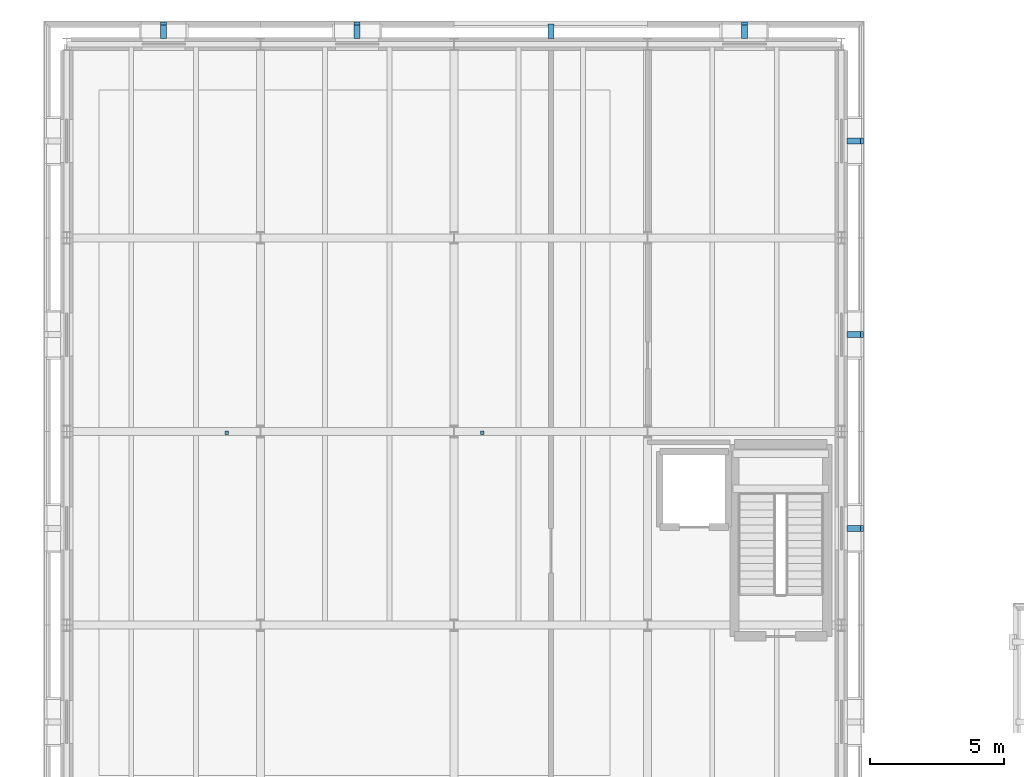
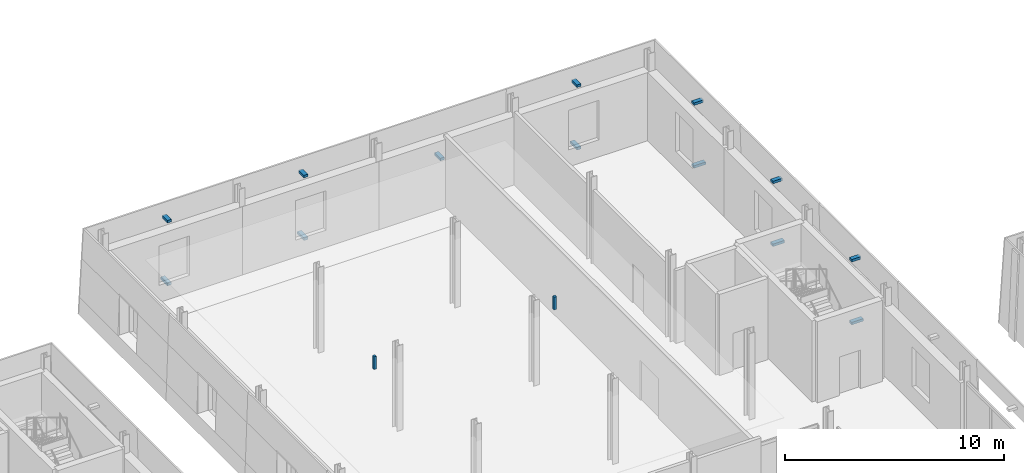
# One storey, part 95 of 121: 15 discrete accessories.
"""IFC4 building model written with IfcOpenShell, lengths in metres."""

from ifc_helpers import new_model, si_unit, direction, frame, origin, origin_2d, place, context, subcontext, project, spatial, rectangle, extrude, material, layer, layer_set, type_object, element, save


model = new_model("IFC4")

# Units and contexts
model_context = context("Model", 3, precision=1e-05, world=origin(), true_north=direction((0.0, 1.0)))
body_context = subcontext(model_context, "Body", "Model", "MODEL_VIEW")
ifc_project = project(units=[si_unit("LENGTHUNIT", "METRE"), si_unit("AREAUNIT", "SQUARE_METRE"), si_unit("VOLUMEUNIT", "CUBIC_METRE"), si_unit("PLANEANGLEUNIT", "RADIAN"), si_unit("MASSUNIT", "GRAM", prefix="KILO")], contexts=[model_context])

# Site, building, storey
site_placement = place(None, origin())
site = spatial("IfcSite", under=ifc_project, at=site_placement, CompositionType="ELEMENT")
building_placement = place(site_placement, origin())
building = spatial("IfcBuilding", under=site, at=building_placement, Name="Narikvali Park Central Library", CompositionType="ELEMENT")
storey_placement = place(building_placement, frame((0.0, 0.0, 5.39990234375)))
storey = spatial("IfcBuildingStorey", under=building, at=storey_placement, Name="L01", CompositionType="ELEMENT", Elevation=5.39990234375)

# Discrete accessories
ifc_material_1 = material(Name="Brushed Stainless Steel S355", Category="steel")
ifc_layer_1 = layer(ifc_material_1, 0.139892578125, Name="Brushed Stainless Steel S355")
ifc_layer_set_1 = layer_set([ifc_layer_1], Name="Brushed Stainless Steel S355")
discrete_accessory_type_1 = type_object("IfcDiscreteAccessoryType", Name="Cladding Stainless Tie-Back Corbel Bracket", PredefinedType="BRACKET", material=ifc_layer_set_1)
discrete_accessory_1_placement = place(storey_placement, frame((58.1162109375, 97.199951171875, 0.4052734375), z_axis=(0.0, 0.0, 1.0), x_axis=(1.0, 0.0, 0.0)))
element("IfcDiscreteAccessory", 1, at=discrete_accessory_1_placement, inside=storey, type_object=discrete_accessory_type_1, Name="Limestone Cladding Tie-Back Bracket V4-CLD-L01-E-B07-SP", PredefinedType="BRACKET", context=body_context, shape_type="SweptSolid", body=[
    extrude(rectangle(XDim=0.612060546875, YDim=0.219970703125, at=origin_2d()), origin(), (0.0, 0.0, 1.0), 0.139892578125),
])
discrete_accessory_2_placement = place(storey_placement, frame((58.05712890625, 97.199951171875, 3.9052734375), z_axis=(0.0, 0.0, 1.0), x_axis=(1.0, 0.0, 0.0)))
element("IfcDiscreteAccessory", 2, at=discrete_accessory_2_placement, inside=storey, type_object=discrete_accessory_type_1, Name="Limestone Cladding Tie-Back Bracket V4-CLD-L01-E-B07-LN", PredefinedType="BRACKET", context=body_context, shape_type="SweptSolid", body=[
    extrude(rectangle(XDim=0.494140625, YDim=0.219970703125, at=origin_2d()), origin(), (0.0, 0.0, 1.0), 0.139892578125),
])
discrete_accessory_3_placement = place(storey_placement, frame((58.1162109375, 104.39990234375, 0.4052734375), z_axis=(0.0, 0.0, 1.0), x_axis=(1.0, 0.0, 0.0)))
element("IfcDiscreteAccessory", 3, at=discrete_accessory_3_placement, inside=storey, type_object=discrete_accessory_type_1, Name="Limestone Cladding Tie-Back Bracket V4-CLD-L01-E-B08-SP", PredefinedType="BRACKET", context=body_context, shape_type="SweptSolid", body=[
    extrude(rectangle(XDim=0.612060546875, YDim=0.219970703125, at=origin_2d()), origin(), (0.0, 0.0, 1.0), 0.139892578125),
])
discrete_accessory_4_placement = place(storey_placement, frame((58.05712890625, 104.39990234375, 3.9052734375), z_axis=(0.0, 0.0, 1.0), x_axis=(1.0, 0.0, 0.0)))
element("IfcDiscreteAccessory", 4, at=discrete_accessory_4_placement, inside=storey, type_object=discrete_accessory_type_1, Name="Limestone Cladding Tie-Back Bracket V4-CLD-L01-E-B08-LN", PredefinedType="BRACKET", context=body_context, shape_type="SweptSolid", body=[
    extrude(rectangle(XDim=0.494140625, YDim=0.219970703125, at=origin_2d()), origin(), (0.0, 0.0, 1.0), 0.139892578125),
])
discrete_accessory_5_placement = place(storey_placement, frame((58.1162109375, 111.60009765625, 0.4052734375), z_axis=(0.0, 0.0, 1.0), x_axis=(1.0, 0.0, 0.0)))
element("IfcDiscreteAccessory", 5, at=discrete_accessory_5_placement, inside=storey, type_object=discrete_accessory_type_1, Name="Limestone Cladding Tie-Back Bracket V4-CLD-L01-E-B09-SP", PredefinedType="BRACKET", context=body_context, shape_type="SweptSolid", body=[
    extrude(rectangle(XDim=0.612060546875, YDim=0.219970703125, at=origin_2d()), origin(), (0.0, 0.0, 1.0), 0.139892578125),
])
discrete_accessory_6_placement = place(storey_placement, frame((58.05712890625, 111.60009765625, 3.9052734375), z_axis=(0.0, 0.0, 1.0), x_axis=(1.0, 0.0, 0.0)))
element("IfcDiscreteAccessory", 6, at=discrete_accessory_6_placement, inside=storey, type_object=discrete_accessory_type_1, Name="Limestone Cladding Tie-Back Bracket V4-CLD-L01-E-B09-LN", PredefinedType="BRACKET", context=body_context, shape_type="SweptSolid", body=[
    extrude(rectangle(XDim=0.494140625, YDim=0.219970703125, at=origin_2d()), origin(), (0.0, 0.0, 1.0), 0.139892578125),
])
discrete_accessory_7_placement = place(storey_placement, frame((54.0, 115.716064453125, 0.4052734375), z_axis=(0.0, 0.0, 1.0), x_axis=(1.0, 0.0, 0.0)))
element("IfcDiscreteAccessory", 7, at=discrete_accessory_7_placement, inside=storey, type_object=discrete_accessory_type_1, Name="Limestone Cladding Tie-Back Bracket V4-CLD-L01-N-B01-SP", PredefinedType="BRACKET", context=body_context, shape_type="SweptSolid", body=[
    extrude(rectangle(XDim=0.219970703125, YDim=0.612060546875, at=origin_2d()), origin(), (0.0, 0.0, 1.0), 0.139892578125),
])
discrete_accessory_8_placement = place(storey_placement, frame((54.0, 115.656982421875, 3.9052734375), z_axis=(0.0, 0.0, 1.0), x_axis=(1.0, 0.0, 0.0)))
element("IfcDiscreteAccessory", 8, at=discrete_accessory_8_placement, inside=storey, type_object=discrete_accessory_type_1, Name="Limestone Cladding Tie-Back Bracket V4-CLD-L01-N-B01-LN", PredefinedType="BRACKET", context=body_context, shape_type="SweptSolid", body=[
    extrude(rectangle(XDim=0.219970703125, YDim=0.494140625, at=origin_2d()), origin(), (0.0, 0.0, 1.0), 0.139892578125),
])
discrete_accessory_9_placement = place(storey_placement, frame((46.800048828125, 115.68359375, 2.330078125), z_axis=(0.0, 0.0, 1.0), x_axis=(1.0, 0.0, 0.0)))
element("IfcDiscreteAccessory", 9, at=discrete_accessory_9_placement, inside=storey, type_object=discrete_accessory_type_1, Name="Limestone Cladding Tie-Back Bracket V4-CLD-L01-N-B02-FULL", PredefinedType="BRACKET", context=body_context, shape_type="SweptSolid", body=[
    extrude(rectangle(XDim=0.219970703125, YDim=0.54736328125, at=origin_2d()), origin(), (0.0, 0.0, 1.0), 0.139892578125),
])
discrete_accessory_10_placement = place(storey_placement, frame((39.60009765625, 115.716064453125, 0.4052734375), z_axis=(0.0, 0.0, 1.0), x_axis=(1.0, 0.0, 0.0)))
element("IfcDiscreteAccessory", 10, at=discrete_accessory_10_placement, inside=storey, type_object=discrete_accessory_type_1, Name="Limestone Cladding Tie-Back Bracket V4-CLD-L01-N-B03-SP", PredefinedType="BRACKET", context=body_context, shape_type="SweptSolid", body=[
    extrude(rectangle(XDim=0.219970703125, YDim=0.612060546875, at=origin_2d()), origin(), (0.0, 0.0, 1.0), 0.139892578125),
])
discrete_accessory_11_placement = place(storey_placement, frame((39.60009765625, 115.656982421875, 3.9052734375), z_axis=(0.0, 0.0, 1.0), x_axis=(1.0, 0.0, 0.0)))
element("IfcDiscreteAccessory", 11, at=discrete_accessory_11_placement, inside=storey, type_object=discrete_accessory_type_1, Name="Limestone Cladding Tie-Back Bracket V4-CLD-L01-N-B03-LN", PredefinedType="BRACKET", context=body_context, shape_type="SweptSolid", body=[
    extrude(rectangle(XDim=0.219970703125, YDim=0.494140625, at=origin_2d()), origin(), (0.0, 0.0, 1.0), 0.139892578125),
])
discrete_accessory_12_placement = place(storey_placement, frame((32.39990234375, 115.716064453125, 0.4052734375), z_axis=(0.0, 0.0, 1.0), x_axis=(1.0, 0.0, 0.0)))
element("IfcDiscreteAccessory", 12, at=discrete_accessory_12_placement, inside=storey, type_object=discrete_accessory_type_1, Name="Limestone Cladding Tie-Back Bracket V4-CLD-L01-N-B04-SP", PredefinedType="BRACKET", context=body_context, shape_type="SweptSolid", body=[
    extrude(rectangle(XDim=0.219970703125, YDim=0.612060546875, at=origin_2d()), origin(), (0.0, 0.0, 1.0), 0.139892578125),
])
discrete_accessory_13_placement = place(storey_placement, frame((32.39990234375, 115.656982421875, 3.9052734375), z_axis=(0.0, 0.0, 1.0), x_axis=(1.0, 0.0, 0.0)))
element("IfcDiscreteAccessory", 13, at=discrete_accessory_13_placement, inside=storey, type_object=discrete_accessory_type_1, Name="Limestone Cladding Tie-Back Bracket V4-CLD-L01-N-B04-LN", PredefinedType="BRACKET", context=body_context, shape_type="SweptSolid", body=[
    extrude(rectangle(XDim=0.219970703125, YDim=0.494140625, at=origin_2d()), origin(), (0.0, 0.0, 1.0), 0.139892578125),
])
ifc_material_2 = material(Name="Galvanised Steel S355", Category="steel")
ifc_layer_2 = layer(ifc_material_2, 0.7099609375, Name="Galvanised Steel S355")
ifc_layer_set_2 = layer_set([ifc_layer_2], Name="Galvanised Steel S355")
discrete_accessory_type_2 = type_object("IfcDiscreteAccessoryType", Name="Suspended Ceiling Hanger Rod Assembly", PredefinedType="BRACKET", material=ifc_layer_set_2)
for number, where, z_axis, x_axis, name in (
    (14, (34.75, 100.75, 3.830078125), (0.0, 0.0, 1.0), (1.0, 0.0, 0.0), "V4 L01 Ceiling Suspension Hanger 05-1"),
    (15, (44.25, 100.75, 3.830078125), (0.0, 0.0, 1.0), (1.0, 0.0, 0.0), "V4 L01 Ceiling Suspension Hanger 05-2"),
):
    element("IfcDiscreteAccessory", number, at=place(storey_placement, frame(where, z_axis=z_axis, x_axis=x_axis)), inside=storey, type_object=discrete_accessory_type_2, Name=name, PredefinedType="BRACKET", context=body_context, shape_type="SweptSolid", body=[
        extrude(rectangle(XDim=0.139892578125, YDim=0.139892578125, at=origin_2d()), origin(), (0.0, 0.0, 1.0), 0.7099609375),
    ])

save(model, "model.ifc")
